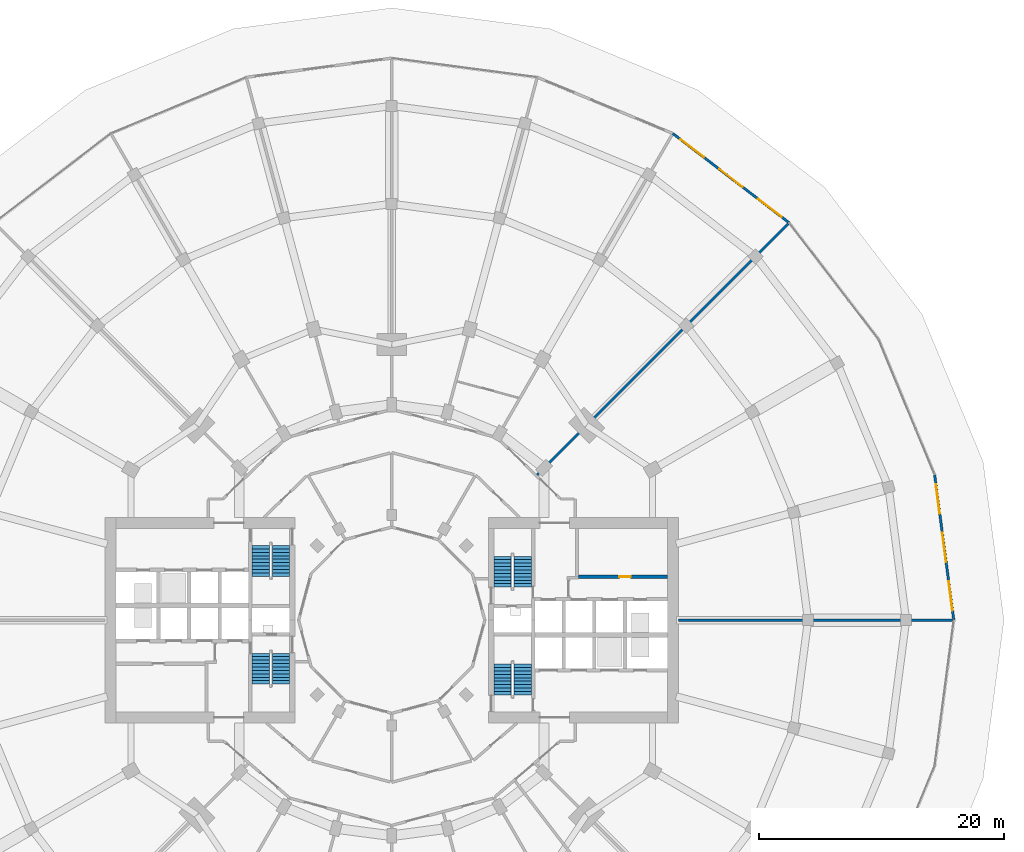
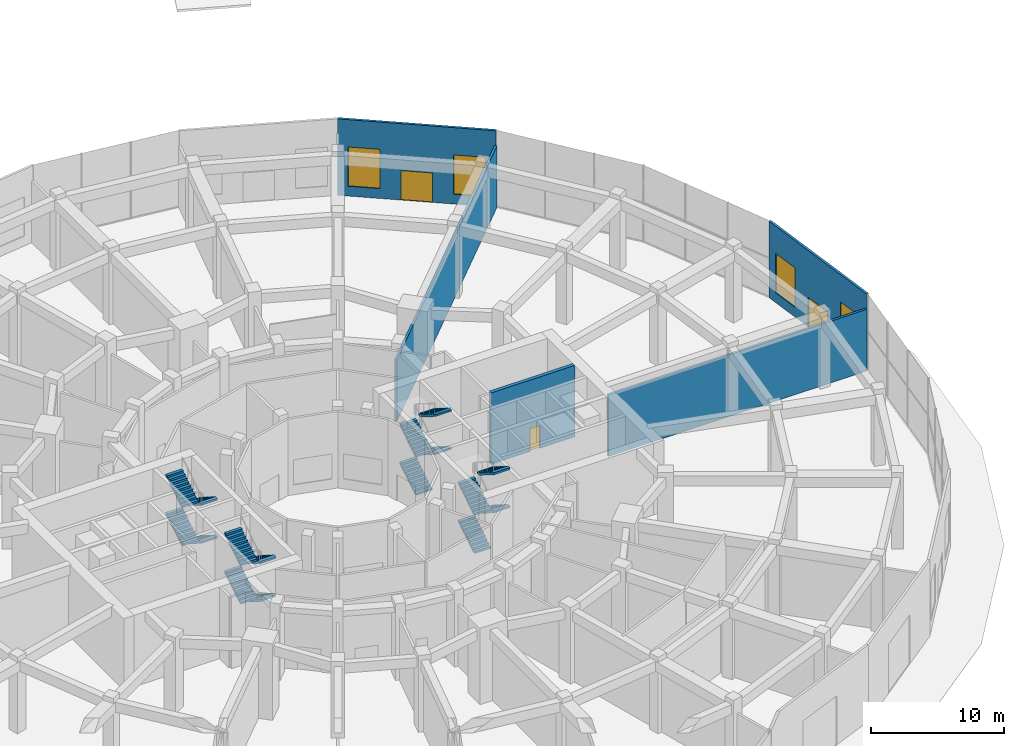
# One storey, part 29 of 31: 16 stair flights, 5 walls, 4 windows, 3 doors, 7 openings, 4 elements without a shape of their own.
"""IFC4 building model written with IfcOpenShell, lengths in metres."""

from ifc_helpers import new_model, si_unit, direction, frame, frame_2d, origin, place, context, subcontext, project, spatial, polyline, rectangle, outline, extrude, material, layer, layer_set, type_object, element, fill, aggregate, save


model = new_model("IFC4")

# Units and contexts
model_context = context("Model", 3, precision=1e-05, world=origin(), true_north=direction((0.0, 1.0)))
body_context = subcontext(model_context, "Body", "Model", "MODEL_VIEW")
ifc_project = project(units=[si_unit("LENGTHUNIT", "METRE"), si_unit("AREAUNIT", "SQUARE_METRE"), si_unit("VOLUMEUNIT", "CUBIC_METRE"), si_unit("PLANEANGLEUNIT", "RADIAN"), si_unit("MASSUNIT", "GRAM", prefix="KILO")], contexts=[model_context])

# Site, building, storey
site_placement = place(None, origin())
site = spatial("IfcSite", under=ifc_project, at=site_placement, CompositionType="ELEMENT")
building_placement = place(site_placement, origin())
building = spatial("IfcBuilding", under=site, at=building_placement, Name="Torre Brocal", CompositionType="ELEMENT")
storey_placement = place(building_placement, origin())
storey = spatial("IfcBuildingStorey", under=building, at=storey_placement, Name="L00", CompositionType="ELEMENT", Elevation=0.0)

# Wall, opening, door
ifc_material_1 = material(Name="Concrete C80", Category="concrete")
ifc_layer_1 = layer(ifc_material_1, 0.300048828125)
ifc_layer_set_1 = layer_set([ifc_layer_1], Name="Concrete C80")
wall_type_1 = type_object("IfcWallType", Name="CORE WALL 300 C80 UNDER 450 SLAB", PredefinedType="SHEAR", material=ifc_layer_set_1)
wall_1_placement = place(storey_placement, frame((95.25, 78.550048828125, 0.0), z_axis=(0.0, 0.0, 1.0), x_axis=(1.0, 0.0, 0.0)))
wall_1 = element("IfcWall", 1, at=wall_1_placement, inside=storey, type_object=wall_type_1, Name="Wall CW300-80-S450", PredefinedType="SHEAR", context=body_context, shape_type="SweptSolid", body=[
    extrude(rectangle(XDim=7.25, YDim=0.300048828125, at=frame_2d((3.625, 0.0))), origin(), (0.0, 0.0, 1.0), 6.550048828125),
])
opening_1_placement = place(wall_1_placement, frame((3.35009765625, 0.0, 0.0)))
opening_1 = element("IfcOpeningElement", 2, at=opening_1_placement, cuts=wall_1, Name="Opening E-D07", PredefinedType="OPENING", context=body_context, shape_type="SweptSolid", body=[
    extrude(rectangle(XDim=0.89990234375, YDim=2.10009765625, at=frame_2d((0.449951171875, 1.050048828125))), frame((0.0, 0.159912109375, 0.0), z_axis=(0.0, -1.0, 0.0), x_axis=(1.0, 0.0, 0.0)), (0.0, 0.0, 1.0), 0.320068359375),
])
ifc_material_2 = material(Name="Steel A653", Category="steel")
door_type_1 = type_object("IfcDoorType", Name="ROOM DOOR FD30S 900X2100", OperationType="SINGLE_SWING_LEFT", PredefinedType="DOOR", material=ifc_material_2)
door_1_placement = place(opening_1_placement, origin())
door_1 = element("IfcDoor", 3, at=door_1_placement, inside=storey, type_object=door_type_1, Name="Door E-D07", OperationType="SINGLE_SWING_RIGHT", OverallHeight=2.10009765625, OverallWidth=0.89990234375, PredefinedType="DOOR", context=body_context, shape_type="SweptSolid", body=[
    extrude(rectangle(XDim=0.89990234375, YDim=2.10009765625, at=frame_2d((0.449951171875, 1.050048828125))), frame((0.0, 0.02490234375, 0.0), z_axis=(0.0, -1.0, 0.0), x_axis=(1.0, 0.0, 0.0)), (0.0, 0.0, 1.0), 0.050048828125),
])
fill(opening_1, door_1)

# Wall, openings, door, windows
ifc_material_3 = material(Name="Concrete C40", Category="concrete")
ifc_layer_2 = layer(ifc_material_3, 0.199951171875)
ifc_layer_set_2 = layer_set([ifc_layer_2], Name="Concrete C40")
wall_type_2 = type_object("IfcWallType", Name="EXTERNAL WALL 200", PredefinedType="NOTDEFINED", material=ifc_layer_set_2)
wall_2_placement = place(storey_placement, frame((125.899169921875, 75.0, 0.0), z_axis=(0.0, 0.0, 1.0), x_axis=(-0.130524612391, 0.991445069361, 0.0)))
wall_2 = element("IfcWall", 4, at=wall_2_placement, inside=storey, type_object=wall_type_2, Name="EXTERNAL WALL", PredefinedType="NOTDEFINED", context=body_context, shape_type="SweptSolid", body=[
    extrude(rectangle(XDim=11.982177734375, YDim=0.199951171875, at=frame_2d((5.9912109375, 0.0))), origin(), (0.0, 0.0, 1.0), 7.0),
])
opening_2_placement = place(wall_2_placement, frame((0.797119140625, 0.0, 0.89990234375)))
opening_2 = element("IfcOpeningElement", 5, at=opening_2_placement, cuts=wall_2, Name="Opening W5", PredefinedType="OPENING", context=body_context, shape_type="SweptSolid", body=[
    extrude(rectangle(XDim=2.39990234375, YDim=3.60009765625, at=frame_2d((1.199951171875, 1.800048828125))), frame((0.0, 0.10986328125, 0.0), z_axis=(0.0, -1.0, 0.0), x_axis=(1.0, 0.0, 0.0)), (0.0, 0.0, 1.0), 0.219970703125),
])
opening_3_placement = place(wall_2_placement, frame((4.791015625, 0.0, 0.0)))
opening_3 = element("IfcOpeningElement", 6, at=opening_3_placement, cuts=wall_2, Name="Opening L00-E01", PredefinedType="OPENING", context=body_context, shape_type="SweptSolid", body=[
    extrude(rectangle(XDim=2.39990234375, YDim=2.699951171875, at=frame_2d((1.199951171875, 1.35009765625))), frame((0.0, 0.10986328125, 0.0), z_axis=(0.0, -1.0, 0.0), x_axis=(1.0, 0.0, 0.0)), (0.0, 0.0, 1.0), 0.219970703125),
])
opening_4_placement = place(wall_2_placement, frame((8.78515625, 0.0, 0.89990234375)))
opening_4 = element("IfcOpeningElement", 7, at=opening_4_placement, cuts=wall_2, Name="Opening W5", PredefinedType="OPENING", context=body_context, shape_type="SweptSolid", body=[
    extrude(rectangle(XDim=2.39990234375, YDim=3.60009765625, at=frame_2d((1.199951171875, 1.800048828125))), frame((0.0, 0.10986328125, 0.0), z_axis=(0.0, -1.0, 0.0), x_axis=(1.0, 0.0, 0.0)), (0.0, 0.0, 1.0), 0.219970703125),
])
ifc_material_4 = material(Name="Aluminium and glass", Category="aluminium")
door_type_2 = type_object("IfcDoorType", Name="ENTRANCE DOUBLE DOOR 2400X2700", OperationType="DOUBLE_DOOR_SINGLE_SWING", PredefinedType="DOOR", material=ifc_material_4)
door_2_placement = place(opening_3_placement, frame((2.39990234375, 0.0, 0.0), z_axis=(0.0, 0.0, 1.0), x_axis=(-1.0, 0.0, 0.0)))
door_2 = element("IfcDoor", 8, at=door_2_placement, inside=storey, type_object=door_type_2, Name="DOOR L00-E01", OperationType="DOUBLE_DOOR_SINGLE_SWING", OverallHeight=2.699951171875, OverallWidth=2.39990234375, PredefinedType="DOOR", context=body_context, shape_type="SweptSolid", body=[
    extrude(rectangle(XDim=2.39990234375, YDim=2.699951171875, at=frame_2d((1.199951171875, 1.35009765625))), frame((0.0, 0.02490234375, 0.0), z_axis=(0.0, -1.0, 0.0), x_axis=(1.0, 0.0, 0.0)), (0.0, 0.0, 1.0), 0.050048828125),
])
fill(opening_3, door_2)
ifc_material_5 = material(Name="Aluminium and glass", Category="aluminium")
window_type = type_object("IfcWindowType", Name="PODIUM WINDOW 2400X3600", PartitioningType="SINGLE_PANEL", PredefinedType="WINDOW", material=ifc_material_5)
window_1_placement = place(opening_2_placement, origin())
window_1 = element("IfcWindow", 9, at=window_1_placement, inside=storey, type_object=window_type, Name="PODIUM WINDOW 2400X3600", OverallHeight=3.60009765625, OverallWidth=2.39990234375, PartitioningType="SINGLE_PANEL", PredefinedType="WINDOW", context=body_context, shape_type="SweptSolid", body=[
    extrude(rectangle(XDim=2.39990234375, YDim=3.60009765625, at=frame_2d((1.199951171875, 1.800048828125))), frame((0.0, 0.030029296875, 0.0), z_axis=(0.0, -1.0, 0.0), x_axis=(1.0, 0.0, 0.0)), (0.0, 0.0, 1.0), 0.06005859375),
])
fill(opening_2, window_1)
window_2_placement = place(opening_4_placement, origin())
window_2 = element("IfcWindow", 10, at=window_2_placement, inside=storey, type_object=window_type, Name="PODIUM WINDOW 2400X3600", OverallHeight=3.60009765625, OverallWidth=2.39990234375, PartitioningType="SINGLE_PANEL", PredefinedType="WINDOW", context=body_context, shape_type="SweptSolid", body=[
    extrude(rectangle(XDim=2.39990234375, YDim=3.60009765625, at=frame_2d((1.199951171875, 1.800048828125))), frame((0.0, 0.030029296875, 0.0), z_axis=(0.0, -1.0, 0.0), x_axis=(1.0, 0.0, 0.0)), (0.0, 0.0, 1.0), 0.06005859375),
])
fill(opening_4, window_2)

wall_3_placement = place(storey_placement, frame((112.45556640625, 107.45556640625, 0.0), z_axis=(0.0, 0.0, 1.0), x_axis=(-0.793357384068, 0.608756159021, 0.0)))
wall_3 = element("IfcWall", 11, at=wall_3_placement, inside=storey, type_object=wall_type_2, Name="EXTERNAL WALL", PredefinedType="NOTDEFINED", context=body_context, shape_type="SweptSolid", body=[
    extrude(rectangle(XDim=11.982177734375, YDim=0.199951171875, at=frame_2d((5.9912109375, 0.0))), origin(), (0.0, 0.0, 1.0), 7.0),
])
opening_5_placement = place(wall_3_placement, frame((0.797119140625, 0.0, 0.89990234375)))
opening_5 = element("IfcOpeningElement", 12, at=opening_5_placement, cuts=wall_3, Name="Opening W5", PredefinedType="OPENING", context=body_context, shape_type="SweptSolid", body=[
    extrude(rectangle(XDim=2.39990234375, YDim=3.60009765625, at=frame_2d((1.199951171875, 1.800048828125))), frame((0.0, 0.10986328125, 0.0), z_axis=(0.0, -1.0, 0.0), x_axis=(1.0, 0.0, 0.0)), (0.0, 0.0, 1.0), 0.219970703125),
])
opening_6_placement = place(wall_3_placement, frame((4.791015625, 0.0, 0.0)))
opening_6 = element("IfcOpeningElement", 13, at=opening_6_placement, cuts=wall_3, Name="Opening L00-E02", PredefinedType="OPENING", context=body_context, shape_type="SweptSolid", body=[
    extrude(rectangle(XDim=2.39990234375, YDim=2.699951171875, at=frame_2d((1.199951171875, 1.35009765625))), frame((0.0, 0.10986328125, 0.0), z_axis=(0.0, -1.0, 0.0), x_axis=(1.0, 0.0, 0.0)), (0.0, 0.0, 1.0), 0.219970703125),
])
opening_7_placement = place(wall_3_placement, frame((8.78515625, 0.0, 0.89990234375)))
opening_7 = element("IfcOpeningElement", 14, at=opening_7_placement, cuts=wall_3, Name="Opening W5", PredefinedType="OPENING", context=body_context, shape_type="SweptSolid", body=[
    extrude(rectangle(XDim=2.39990234375, YDim=3.60009765625, at=frame_2d((1.199951171875, 1.800048828125))), frame((0.0, 0.10986328125, 0.0), z_axis=(0.0, -1.0, 0.0), x_axis=(1.0, 0.0, 0.0)), (0.0, 0.0, 1.0), 0.219970703125),
])
door_3_placement = place(opening_6_placement, frame((2.39990234375, 0.0, 0.0), z_axis=(0.0, 0.0, 1.0), x_axis=(-1.0, 0.0, 0.0)))
door_3 = element("IfcDoor", 15, at=door_3_placement, inside=storey, type_object=door_type_2, Name="DOOR L00-E02", OperationType="DOUBLE_DOOR_SINGLE_SWING", OverallHeight=2.699951171875, OverallWidth=2.39990234375, PredefinedType="DOOR", context=body_context, shape_type="SweptSolid", body=[
    extrude(rectangle(XDim=2.39990234375, YDim=2.699951171875, at=frame_2d((1.199951171875, 1.35009765625))), frame((0.0, 0.02490234375, 0.0), z_axis=(0.0, -1.0, 0.0), x_axis=(1.0, 0.0, 0.0)), (0.0, 0.0, 1.0), 0.050048828125),
])
fill(opening_6, door_3)
window_3_placement = place(opening_5_placement, origin())
window_3 = element("IfcWindow", 16, at=window_3_placement, inside=storey, type_object=window_type, Name="PODIUM WINDOW 2400X3600", OverallHeight=3.60009765625, OverallWidth=2.39990234375, PartitioningType="SINGLE_PANEL", PredefinedType="WINDOW", context=body_context, shape_type="SweptSolid", body=[
    extrude(rectangle(XDim=2.39990234375, YDim=3.60009765625, at=frame_2d((1.199951171875, 1.800048828125))), frame((0.0, 0.030029296875, 0.0), z_axis=(0.0, -1.0, 0.0), x_axis=(1.0, 0.0, 0.0)), (0.0, 0.0, 1.0), 0.06005859375),
])
fill(opening_5, window_3)
window_4_placement = place(opening_7_placement, origin())
window_4 = element("IfcWindow", 17, at=window_4_placement, inside=storey, type_object=window_type, Name="PODIUM WINDOW 2400X3600", OverallHeight=3.60009765625, OverallWidth=2.39990234375, PartitioningType="SINGLE_PANEL", PredefinedType="WINDOW", context=body_context, shape_type="SweptSolid", body=[
    extrude(rectangle(XDim=2.39990234375, YDim=3.60009765625, at=frame_2d((1.199951171875, 1.800048828125))), frame((0.0, 0.030029296875, 0.0), z_axis=(0.0, -1.0, 0.0), x_axis=(1.0, 0.0, 0.0)), (0.0, 0.0, 1.0), 0.06005859375),
])
fill(opening_7, window_4)

# Walls
ifc_material_6 = material(Name="Gypsum board", Category="Gypsum")
ifc_layer_3 = layer(ifc_material_6, 0.199951171875)
ifc_layer_set_3 = layer_set([ifc_layer_3], Name="Gypsum board")
wall_type_3 = type_object("IfcWallType", Name="PARTITION 200 EI60 UNDER BEAM 1350", PredefinedType="PARTITIONING", material=ifc_layer_set_3)
wall_4_placement = place(storey_placement, frame((91.875732421875, 86.875732421875, 0.0), z_axis=(0.0, 0.0, 1.0), x_axis=(0.707106781187, 0.707106781187, 0.0)))
element("IfcWall", 18, at=wall_4_placement, inside=storey, type_object=wall_type_3, Name="PARTY PARTITION", PredefinedType="PARTITIONING", context=body_context, shape_type="SweptSolid", body=[
    extrude(rectangle(XDim=29.00390625, YDim=0.199951171875, at=frame_2d((14.501953125, 0.0))), origin(), (0.0, 0.0, 1.0), 5.64990234375),
])
wall_5_placement = place(storey_placement, frame((103.40087890625, 75.0, 0.0), z_axis=(0.0, 0.0, 1.0), x_axis=(1.0, 0.0, 0.0)))
element("IfcWall", 19, at=wall_5_placement, inside=storey, type_object=wall_type_3, Name="PARTY PARTITION", PredefinedType="PARTITIONING", context=body_context, shape_type="SweptSolid", body=[
    extrude(rectangle(XDim=22.396240234375, YDim=0.199951171875, at=frame_2d((11.1982421875, 0.0))), origin(), (0.0, 0.0, 1.0), 5.64990234375),
])

# Stair, stair flights
ifc_material_7 = material(Name="Concrete C50", Category="concrete")
stair_type = type_object("IfcStairType", Name="EXIT STAIR", PredefinedType="HALF_TURN_STAIR", material=ifc_material_7)
stair_1_placement = place(storey_placement, origin())
stair_1 = element("IfcStair", 20, at=stair_1_placement, inside=storey, type_object=stair_type, Name="EXIT STAIR ST1", PredefinedType="HALF_TURN_STAIR")
ifc_material_8 = material(Name="Concrete C50", Category="concrete")
ifc_layer_4 = layer(ifc_material_8, 0.14990234375)
ifc_layer_set_4 = layer_set([ifc_layer_4], Name="Concrete C50")
stair_flight_type = type_object("IfcStairFlightType", Name="STAIR FLIGHT", PredefinedType="STRAIGHT", material=ifc_layer_set_4)
stair_flight_1_placement = place(storey_placement, frame((89.050048828125, 77.699951171875, 0.0), z_axis=(0.0, 0.0, 1.0), x_axis=(0.0, 1.0, 0.0)))
stair_flight_1 = element("IfcStairFlight", 21, at=stair_flight_1_placement, type_object=stair_flight_type, Name="ST1 flight 1", NumberOfRisers=10, NumberOfTreads=9, PredefinedType="STRAIGHT", RiserHeight=0.175, TreadLength=0.28, context=body_context, shape_type="SweptSolid", body=[
    extrude(outline(polyline([(0.0, 0.0), (0.0, 0.175048828125), (0.280029296875, 0.175048828125), (0.280029296875, 0.35009765625), (0.56005859375, 0.35009765625), (0.56005859375, 0.52490234375), (0.840087890625, 0.52490234375), (0.840087890625, 0.699951171875), (1.1201171875, 0.699951171875), (1.1201171875, 0.875), (1.39990234375, 0.875), (1.39990234375, 1.050048828125), (1.679931640625, 1.050048828125), (1.679931640625, 1.22509765625), (1.9599609375, 1.22509765625), (1.9599609375, 1.39990234375), (2.239990234375, 1.39990234375), (2.239990234375, 1.574951171875), (2.52001953125, 1.574951171875), (2.52001953125, 1.75), (2.52001953125, 1.398193359375), (0.28271484375, 0.0), (0.0, 0.0)])), frame((0.0, 0.699951171875, 0.0), z_axis=(0.0, -1.0, 0.0), x_axis=(1.0, 0.0, 0.0)), (0.0, 0.0, 1.0), 1.39990234375),
])
stair_flight_2_placement = place(storey_placement, frame((90.699951171875, 80.219970703125, 1.75), z_axis=(0.0, 0.0, 1.0), x_axis=(0.0, -1.0, 0.0)))
stair_flight_2 = element("IfcStairFlight", 22, at=stair_flight_2_placement, type_object=stair_flight_type, Name="ST1 flight 2", NumberOfRisers=10, NumberOfTreads=9, PredefinedType="STRAIGHT", RiserHeight=0.175, TreadLength=0.28, context=body_context, shape_type="SweptSolid", body=[
    extrude(outline(polyline([(0.0, 0.0), (0.0, 0.175048828125), (0.280029296875, 0.175048828125), (0.280029296875, 0.35009765625), (0.56005859375, 0.35009765625), (0.56005859375, 0.52490234375), (0.840087890625, 0.52490234375), (0.840087890625, 0.699951171875), (1.1201171875, 0.699951171875), (1.1201171875, 0.875), (1.39990234375, 0.875), (1.39990234375, 1.050048828125), (1.679931640625, 1.050048828125), (1.679931640625, 1.22509765625), (1.9599609375, 1.22509765625), (1.9599609375, 1.39990234375), (2.239990234375, 1.39990234375), (2.239990234375, 1.574951171875), (2.52001953125, 1.574951171875), (2.52001953125, 1.75), (2.52001953125, 1.398193359375), (0.28271484375, 0.0), (0.0, 0.0)])), frame((0.0, 0.699951171875, 0.0), z_axis=(0.0, -1.0, 0.0), x_axis=(1.0, 0.0, 0.0)), (0.0, 0.0, 1.0), 1.39990234375),
])
stair_flight_3_placement = place(storey_placement, frame((89.050048828125, 77.699951171875, 3.5), z_axis=(0.0, 0.0, 1.0), x_axis=(0.0, 1.0, 0.0)))
stair_flight_3 = element("IfcStairFlight", 23, at=stair_flight_3_placement, type_object=stair_flight_type, Name="ST1 flight 3", NumberOfRisers=10, NumberOfTreads=9, PredefinedType="STRAIGHT", RiserHeight=0.175, TreadLength=0.28, context=body_context, shape_type="SweptSolid", body=[
    extrude(outline(polyline([(0.0, 0.0), (0.0, 0.175048828125), (0.280029296875, 0.175048828125), (0.280029296875, 0.35009765625), (0.56005859375, 0.35009765625), (0.56005859375, 0.52490234375), (0.840087890625, 0.52490234375), (0.840087890625, 0.699951171875), (1.1201171875, 0.699951171875), (1.1201171875, 0.875), (1.39990234375, 0.875), (1.39990234375, 1.050048828125), (1.679931640625, 1.050048828125), (1.679931640625, 1.22509765625), (1.9599609375, 1.22509765625), (1.9599609375, 1.39990234375), (2.239990234375, 1.39990234375), (2.239990234375, 1.574951171875), (2.52001953125, 1.574951171875), (2.52001953125, 1.75), (2.52001953125, 1.398193359375), (0.28271484375, 0.0), (0.0, 0.0)])), frame((0.0, 0.699951171875, 0.0), z_axis=(0.0, -1.0, 0.0), x_axis=(1.0, 0.0, 0.0)), (0.0, 0.0, 1.0), 1.39990234375),
])
stair_flight_4_placement = place(storey_placement, frame((90.699951171875, 80.219970703125, 5.25), z_axis=(0.0, 0.0, 1.0), x_axis=(0.0, -1.0, 0.0)))
stair_flight_4 = element("IfcStairFlight", 24, at=stair_flight_4_placement, type_object=stair_flight_type, Name="ST1 flight 4", NumberOfRisers=10, NumberOfTreads=9, PredefinedType="STRAIGHT", RiserHeight=0.175, TreadLength=0.28, context=body_context, shape_type="SweptSolid", body=[
    extrude(outline(polyline([(0.0, 0.0), (0.0, 0.175048828125), (0.280029296875, 0.175048828125), (0.280029296875, 0.35009765625), (0.56005859375, 0.35009765625), (0.56005859375, 0.52490234375), (0.840087890625, 0.52490234375), (0.840087890625, 0.699951171875), (1.1201171875, 0.699951171875), (1.1201171875, 0.875), (1.39990234375, 0.875), (1.39990234375, 1.050048828125), (1.679931640625, 1.050048828125), (1.679931640625, 1.22509765625), (1.9599609375, 1.22509765625), (1.9599609375, 1.39990234375), (2.239990234375, 1.39990234375), (2.239990234375, 1.574951171875), (2.52001953125, 1.574951171875), (2.52001953125, 1.75), (2.52001953125, 1.398193359375), (0.28271484375, 0.0), (0.0, 0.0)])), frame((0.0, 0.699951171875, 0.0), z_axis=(0.0, -1.0, 0.0), x_axis=(1.0, 0.0, 0.0)), (0.0, 0.0, 1.0), 1.39990234375),
])
aggregate(stair_1, [stair_flight_1, stair_flight_2, stair_flight_3, stair_flight_4])

stair_2_placement = place(storey_placement, origin())
stair_2 = element("IfcStair", 25, at=stair_2_placement, inside=storey, type_object=stair_type, Name="EXIT STAIR ST2", PredefinedType="HALF_TURN_STAIR")
stair_flight_5_placement = place(storey_placement, frame((89.050048828125, 68.89990234375, 0.0), z_axis=(0.0, 0.0, 1.0), x_axis=(0.0, 1.0, 0.0)))
stair_flight_5 = element("IfcStairFlight", 26, at=stair_flight_5_placement, type_object=stair_flight_type, Name="ST2 flight 1", NumberOfRisers=10, NumberOfTreads=9, PredefinedType="STRAIGHT", RiserHeight=0.175, TreadLength=0.28, context=body_context, shape_type="SweptSolid", body=[
    extrude(outline(polyline([(0.0, 0.0), (0.0, 0.175048828125), (0.280029296875, 0.175048828125), (0.280029296875, 0.35009765625), (0.56005859375, 0.35009765625), (0.56005859375, 0.52490234375), (0.840087890625, 0.52490234375), (0.840087890625, 0.699951171875), (1.1201171875, 0.699951171875), (1.1201171875, 0.875), (1.39990234375, 0.875), (1.39990234375, 1.050048828125), (1.679931640625, 1.050048828125), (1.679931640625, 1.22509765625), (1.9599609375, 1.22509765625), (1.9599609375, 1.39990234375), (2.239990234375, 1.39990234375), (2.239990234375, 1.574951171875), (2.52001953125, 1.574951171875), (2.52001953125, 1.75), (2.52001953125, 1.398193359375), (0.28271484375, 0.0), (0.0, 0.0)])), frame((0.0, 0.699951171875, 0.0), z_axis=(0.0, -1.0, 0.0), x_axis=(1.0, 0.0, 0.0)), (0.0, 0.0, 1.0), 1.39990234375),
])
stair_flight_6_placement = place(storey_placement, frame((90.699951171875, 71.419921875, 1.75), z_axis=(0.0, 0.0, 1.0), x_axis=(0.0, -1.0, 0.0)))
stair_flight_6 = element("IfcStairFlight", 27, at=stair_flight_6_placement, type_object=stair_flight_type, Name="ST2 flight 2", NumberOfRisers=10, NumberOfTreads=9, PredefinedType="STRAIGHT", RiserHeight=0.175, TreadLength=0.28, context=body_context, shape_type="SweptSolid", body=[
    extrude(outline(polyline([(0.0, 0.0), (0.0, 0.175048828125), (0.280029296875, 0.175048828125), (0.280029296875, 0.35009765625), (0.56005859375, 0.35009765625), (0.56005859375, 0.52490234375), (0.840087890625, 0.52490234375), (0.840087890625, 0.699951171875), (1.1201171875, 0.699951171875), (1.1201171875, 0.875), (1.39990234375, 0.875), (1.39990234375, 1.050048828125), (1.679931640625, 1.050048828125), (1.679931640625, 1.22509765625), (1.9599609375, 1.22509765625), (1.9599609375, 1.39990234375), (2.239990234375, 1.39990234375), (2.239990234375, 1.574951171875), (2.52001953125, 1.574951171875), (2.52001953125, 1.75), (2.52001953125, 1.398193359375), (0.28271484375, 0.0), (0.0, 0.0)])), frame((0.0, 0.699951171875, 0.0), z_axis=(0.0, -1.0, 0.0), x_axis=(1.0, 0.0, 0.0)), (0.0, 0.0, 1.0), 1.39990234375),
])
stair_flight_7_placement = place(storey_placement, frame((89.050048828125, 68.89990234375, 3.5), z_axis=(0.0, 0.0, 1.0), x_axis=(0.0, 1.0, 0.0)))
stair_flight_7 = element("IfcStairFlight", 28, at=stair_flight_7_placement, type_object=stair_flight_type, Name="ST2 flight 3", NumberOfRisers=10, NumberOfTreads=9, PredefinedType="STRAIGHT", RiserHeight=0.175, TreadLength=0.28, context=body_context, shape_type="SweptSolid", body=[
    extrude(outline(polyline([(0.0, 0.0), (0.0, 0.175048828125), (0.280029296875, 0.175048828125), (0.280029296875, 0.35009765625), (0.56005859375, 0.35009765625), (0.56005859375, 0.52490234375), (0.840087890625, 0.52490234375), (0.840087890625, 0.699951171875), (1.1201171875, 0.699951171875), (1.1201171875, 0.875), (1.39990234375, 0.875), (1.39990234375, 1.050048828125), (1.679931640625, 1.050048828125), (1.679931640625, 1.22509765625), (1.9599609375, 1.22509765625), (1.9599609375, 1.39990234375), (2.239990234375, 1.39990234375), (2.239990234375, 1.574951171875), (2.52001953125, 1.574951171875), (2.52001953125, 1.75), (2.52001953125, 1.398193359375), (0.28271484375, 0.0), (0.0, 0.0)])), frame((0.0, 0.699951171875, 0.0), z_axis=(0.0, -1.0, 0.0), x_axis=(1.0, 0.0, 0.0)), (0.0, 0.0, 1.0), 1.39990234375),
])
stair_flight_8_placement = place(storey_placement, frame((90.699951171875, 71.419921875, 5.25), z_axis=(0.0, 0.0, 1.0), x_axis=(0.0, -1.0, 0.0)))
stair_flight_8 = element("IfcStairFlight", 29, at=stair_flight_8_placement, type_object=stair_flight_type, Name="ST2 flight 4", NumberOfRisers=10, NumberOfTreads=9, PredefinedType="STRAIGHT", RiserHeight=0.175, TreadLength=0.28, context=body_context, shape_type="SweptSolid", body=[
    extrude(outline(polyline([(0.0, 0.0), (0.0, 0.175048828125), (0.280029296875, 0.175048828125), (0.280029296875, 0.35009765625), (0.56005859375, 0.35009765625), (0.56005859375, 0.52490234375), (0.840087890625, 0.52490234375), (0.840087890625, 0.699951171875), (1.1201171875, 0.699951171875), (1.1201171875, 0.875), (1.39990234375, 0.875), (1.39990234375, 1.050048828125), (1.679931640625, 1.050048828125), (1.679931640625, 1.22509765625), (1.9599609375, 1.22509765625), (1.9599609375, 1.39990234375), (2.239990234375, 1.39990234375), (2.239990234375, 1.574951171875), (2.52001953125, 1.574951171875), (2.52001953125, 1.75), (2.52001953125, 1.398193359375), (0.28271484375, 0.0), (0.0, 0.0)])), frame((0.0, 0.699951171875, 0.0), z_axis=(0.0, -1.0, 0.0), x_axis=(1.0, 0.0, 0.0)), (0.0, 0.0, 1.0), 1.39990234375),
])
aggregate(stair_2, [stair_flight_5, stair_flight_6, stair_flight_7, stair_flight_8])

stair_3_placement = place(storey_placement, origin())
stair_3 = element("IfcStair", 30, at=stair_3_placement, inside=storey, type_object=stair_type, Name="EXIT STAIR ST3", PredefinedType="HALF_TURN_STAIR")
stair_flight_9_placement = place(storey_placement, frame((70.949951171875, 72.300048828125, 0.0), z_axis=(0.0, 0.0, 1.0), x_axis=(0.0, -1.0, 0.0)))
stair_flight_9 = element("IfcStairFlight", 31, at=stair_flight_9_placement, type_object=stair_flight_type, Name="ST3 flight 1", NumberOfRisers=10, NumberOfTreads=9, PredefinedType="STRAIGHT", RiserHeight=0.175, TreadLength=0.28, context=body_context, shape_type="SweptSolid", body=[
    extrude(outline(polyline([(0.0, 0.0), (0.0, 0.175048828125), (0.280029296875, 0.175048828125), (0.280029296875, 0.35009765625), (0.56005859375, 0.35009765625), (0.56005859375, 0.52490234375), (0.840087890625, 0.52490234375), (0.840087890625, 0.699951171875), (1.1201171875, 0.699951171875), (1.1201171875, 0.875), (1.39990234375, 0.875), (1.39990234375, 1.050048828125), (1.679931640625, 1.050048828125), (1.679931640625, 1.22509765625), (1.9599609375, 1.22509765625), (1.9599609375, 1.39990234375), (2.239990234375, 1.39990234375), (2.239990234375, 1.574951171875), (2.52001953125, 1.574951171875), (2.52001953125, 1.75), (2.52001953125, 1.398193359375), (0.28271484375, 0.0), (0.0, 0.0)])), frame((0.0, 0.699951171875, 0.0), z_axis=(0.0, -1.0, 0.0), x_axis=(1.0, 0.0, 0.0)), (0.0, 0.0, 1.0), 1.39990234375),
])
stair_flight_10_placement = place(storey_placement, frame((69.300048828125, 69.780029296875, 1.75), z_axis=(0.0, 0.0, 1.0), x_axis=(0.0, 1.0, 0.0)))
stair_flight_10 = element("IfcStairFlight", 32, at=stair_flight_10_placement, type_object=stair_flight_type, Name="ST3 flight 2", NumberOfRisers=10, NumberOfTreads=9, PredefinedType="STRAIGHT", RiserHeight=0.175, TreadLength=0.28, context=body_context, shape_type="SweptSolid", body=[
    extrude(outline(polyline([(0.0, 0.0), (0.0, 0.175048828125), (0.280029296875, 0.175048828125), (0.280029296875, 0.35009765625), (0.56005859375, 0.35009765625), (0.56005859375, 0.52490234375), (0.840087890625, 0.52490234375), (0.840087890625, 0.699951171875), (1.1201171875, 0.699951171875), (1.1201171875, 0.875), (1.39990234375, 0.875), (1.39990234375, 1.050048828125), (1.679931640625, 1.050048828125), (1.679931640625, 1.22509765625), (1.9599609375, 1.22509765625), (1.9599609375, 1.39990234375), (2.239990234375, 1.39990234375), (2.239990234375, 1.574951171875), (2.52001953125, 1.574951171875), (2.52001953125, 1.75), (2.52001953125, 1.398193359375), (0.28271484375, 0.0), (0.0, 0.0)])), frame((0.0, 0.699951171875, 0.0), z_axis=(0.0, -1.0, 0.0), x_axis=(1.0, 0.0, 0.0)), (0.0, 0.0, 1.0), 1.39990234375),
])
stair_flight_11_placement = place(storey_placement, frame((70.949951171875, 72.300048828125, 3.5), z_axis=(0.0, 0.0, 1.0), x_axis=(0.0, -1.0, 0.0)))
stair_flight_11 = element("IfcStairFlight", 33, at=stair_flight_11_placement, type_object=stair_flight_type, Name="ST3 flight 3", NumberOfRisers=10, NumberOfTreads=9, PredefinedType="STRAIGHT", RiserHeight=0.175, TreadLength=0.28, context=body_context, shape_type="SweptSolid", body=[
    extrude(outline(polyline([(0.0, 0.0), (0.0, 0.175048828125), (0.280029296875, 0.175048828125), (0.280029296875, 0.35009765625), (0.56005859375, 0.35009765625), (0.56005859375, 0.52490234375), (0.840087890625, 0.52490234375), (0.840087890625, 0.699951171875), (1.1201171875, 0.699951171875), (1.1201171875, 0.875), (1.39990234375, 0.875), (1.39990234375, 1.050048828125), (1.679931640625, 1.050048828125), (1.679931640625, 1.22509765625), (1.9599609375, 1.22509765625), (1.9599609375, 1.39990234375), (2.239990234375, 1.39990234375), (2.239990234375, 1.574951171875), (2.52001953125, 1.574951171875), (2.52001953125, 1.75), (2.52001953125, 1.398193359375), (0.28271484375, 0.0), (0.0, 0.0)])), frame((0.0, 0.699951171875, 0.0), z_axis=(0.0, -1.0, 0.0), x_axis=(1.0, 0.0, 0.0)), (0.0, 0.0, 1.0), 1.39990234375),
])
stair_flight_12_placement = place(storey_placement, frame((69.300048828125, 69.780029296875, 5.25), z_axis=(0.0, 0.0, 1.0), x_axis=(0.0, 1.0, 0.0)))
stair_flight_12 = element("IfcStairFlight", 34, at=stair_flight_12_placement, type_object=stair_flight_type, Name="ST3 flight 4", NumberOfRisers=10, NumberOfTreads=9, PredefinedType="STRAIGHT", RiserHeight=0.175, TreadLength=0.28, context=body_context, shape_type="SweptSolid", body=[
    extrude(outline(polyline([(0.0, 0.0), (0.0, 0.175048828125), (0.280029296875, 0.175048828125), (0.280029296875, 0.35009765625), (0.56005859375, 0.35009765625), (0.56005859375, 0.52490234375), (0.840087890625, 0.52490234375), (0.840087890625, 0.699951171875), (1.1201171875, 0.699951171875), (1.1201171875, 0.875), (1.39990234375, 0.875), (1.39990234375, 1.050048828125), (1.679931640625, 1.050048828125), (1.679931640625, 1.22509765625), (1.9599609375, 1.22509765625), (1.9599609375, 1.39990234375), (2.239990234375, 1.39990234375), (2.239990234375, 1.574951171875), (2.52001953125, 1.574951171875), (2.52001953125, 1.75), (2.52001953125, 1.398193359375), (0.28271484375, 0.0), (0.0, 0.0)])), frame((0.0, 0.699951171875, 0.0), z_axis=(0.0, -1.0, 0.0), x_axis=(1.0, 0.0, 0.0)), (0.0, 0.0, 1.0), 1.39990234375),
])
aggregate(stair_3, [stair_flight_9, stair_flight_10, stair_flight_11, stair_flight_12])

stair_4_placement = place(storey_placement, origin())
stair_4 = element("IfcStair", 35, at=stair_4_placement, inside=storey, type_object=stair_type, Name="EXIT STAIR ST4", PredefinedType="HALF_TURN_STAIR")
stair_flight_13_placement = place(storey_placement, frame((70.949951171875, 81.10009765625, 0.0), z_axis=(0.0, 0.0, 1.0), x_axis=(0.0, -1.0, 0.0)))
stair_flight_13 = element("IfcStairFlight", 36, at=stair_flight_13_placement, type_object=stair_flight_type, Name="ST4 flight 1", NumberOfRisers=10, NumberOfTreads=9, PredefinedType="STRAIGHT", RiserHeight=0.175, TreadLength=0.28, context=body_context, shape_type="SweptSolid", body=[
    extrude(outline(polyline([(0.0, 0.0), (0.0, 0.175048828125), (0.280029296875, 0.175048828125), (0.280029296875, 0.35009765625), (0.56005859375, 0.35009765625), (0.56005859375, 0.52490234375), (0.840087890625, 0.52490234375), (0.840087890625, 0.699951171875), (1.1201171875, 0.699951171875), (1.1201171875, 0.875), (1.39990234375, 0.875), (1.39990234375, 1.050048828125), (1.679931640625, 1.050048828125), (1.679931640625, 1.22509765625), (1.9599609375, 1.22509765625), (1.9599609375, 1.39990234375), (2.239990234375, 1.39990234375), (2.239990234375, 1.574951171875), (2.52001953125, 1.574951171875), (2.52001953125, 1.75), (2.52001953125, 1.398193359375), (0.28271484375, 0.0), (0.0, 0.0)])), frame((0.0, 0.699951171875, 0.0), z_axis=(0.0, -1.0, 0.0), x_axis=(1.0, 0.0, 0.0)), (0.0, 0.0, 1.0), 1.39990234375),
])
stair_flight_14_placement = place(storey_placement, frame((69.300048828125, 78.580078125, 1.75), z_axis=(0.0, 0.0, 1.0), x_axis=(0.0, 1.0, 0.0)))
stair_flight_14 = element("IfcStairFlight", 37, at=stair_flight_14_placement, type_object=stair_flight_type, Name="ST4 flight 2", NumberOfRisers=10, NumberOfTreads=9, PredefinedType="STRAIGHT", RiserHeight=0.175, TreadLength=0.28, context=body_context, shape_type="SweptSolid", body=[
    extrude(outline(polyline([(0.0, 0.0), (0.0, 0.175048828125), (0.280029296875, 0.175048828125), (0.280029296875, 0.35009765625), (0.56005859375, 0.35009765625), (0.56005859375, 0.52490234375), (0.840087890625, 0.52490234375), (0.840087890625, 0.699951171875), (1.1201171875, 0.699951171875), (1.1201171875, 0.875), (1.39990234375, 0.875), (1.39990234375, 1.050048828125), (1.679931640625, 1.050048828125), (1.679931640625, 1.22509765625), (1.9599609375, 1.22509765625), (1.9599609375, 1.39990234375), (2.239990234375, 1.39990234375), (2.239990234375, 1.574951171875), (2.52001953125, 1.574951171875), (2.52001953125, 1.75), (2.52001953125, 1.398193359375), (0.28271484375, 0.0), (0.0, 0.0)])), frame((0.0, 0.699951171875, 0.0), z_axis=(0.0, -1.0, 0.0), x_axis=(1.0, 0.0, 0.0)), (0.0, 0.0, 1.0), 1.39990234375),
])
stair_flight_15_placement = place(storey_placement, frame((70.949951171875, 81.10009765625, 3.5), z_axis=(0.0, 0.0, 1.0), x_axis=(0.0, -1.0, 0.0)))
stair_flight_15 = element("IfcStairFlight", 38, at=stair_flight_15_placement, type_object=stair_flight_type, Name="ST4 flight 3", NumberOfRisers=10, NumberOfTreads=9, PredefinedType="STRAIGHT", RiserHeight=0.175, TreadLength=0.28, context=body_context, shape_type="SweptSolid", body=[
    extrude(outline(polyline([(0.0, 0.0), (0.0, 0.175048828125), (0.280029296875, 0.175048828125), (0.280029296875, 0.35009765625), (0.56005859375, 0.35009765625), (0.56005859375, 0.52490234375), (0.840087890625, 0.52490234375), (0.840087890625, 0.699951171875), (1.1201171875, 0.699951171875), (1.1201171875, 0.875), (1.39990234375, 0.875), (1.39990234375, 1.050048828125), (1.679931640625, 1.050048828125), (1.679931640625, 1.22509765625), (1.9599609375, 1.22509765625), (1.9599609375, 1.39990234375), (2.239990234375, 1.39990234375), (2.239990234375, 1.574951171875), (2.52001953125, 1.574951171875), (2.52001953125, 1.75), (2.52001953125, 1.398193359375), (0.28271484375, 0.0), (0.0, 0.0)])), frame((0.0, 0.699951171875, 0.0), z_axis=(0.0, -1.0, 0.0), x_axis=(1.0, 0.0, 0.0)), (0.0, 0.0, 1.0), 1.39990234375),
])
stair_flight_16_placement = place(storey_placement, frame((69.300048828125, 78.580078125, 5.25), z_axis=(0.0, 0.0, 1.0), x_axis=(0.0, 1.0, 0.0)))
stair_flight_16 = element("IfcStairFlight", 39, at=stair_flight_16_placement, type_object=stair_flight_type, Name="ST4 flight 4", NumberOfRisers=10, NumberOfTreads=9, PredefinedType="STRAIGHT", RiserHeight=0.175, TreadLength=0.28, context=body_context, shape_type="SweptSolid", body=[
    extrude(outline(polyline([(0.0, 0.0), (0.0, 0.175048828125), (0.280029296875, 0.175048828125), (0.280029296875, 0.35009765625), (0.56005859375, 0.35009765625), (0.56005859375, 0.52490234375), (0.840087890625, 0.52490234375), (0.840087890625, 0.699951171875), (1.1201171875, 0.699951171875), (1.1201171875, 0.875), (1.39990234375, 0.875), (1.39990234375, 1.050048828125), (1.679931640625, 1.050048828125), (1.679931640625, 1.22509765625), (1.9599609375, 1.22509765625), (1.9599609375, 1.39990234375), (2.239990234375, 1.39990234375), (2.239990234375, 1.574951171875), (2.52001953125, 1.574951171875), (2.52001953125, 1.75), (2.52001953125, 1.398193359375), (0.28271484375, 0.0), (0.0, 0.0)])), frame((0.0, 0.699951171875, 0.0), z_axis=(0.0, -1.0, 0.0), x_axis=(1.0, 0.0, 0.0)), (0.0, 0.0, 1.0), 1.39990234375),
])
aggregate(stair_4, [stair_flight_13, stair_flight_14, stair_flight_15, stair_flight_16])

save(model, "model.ifc")
